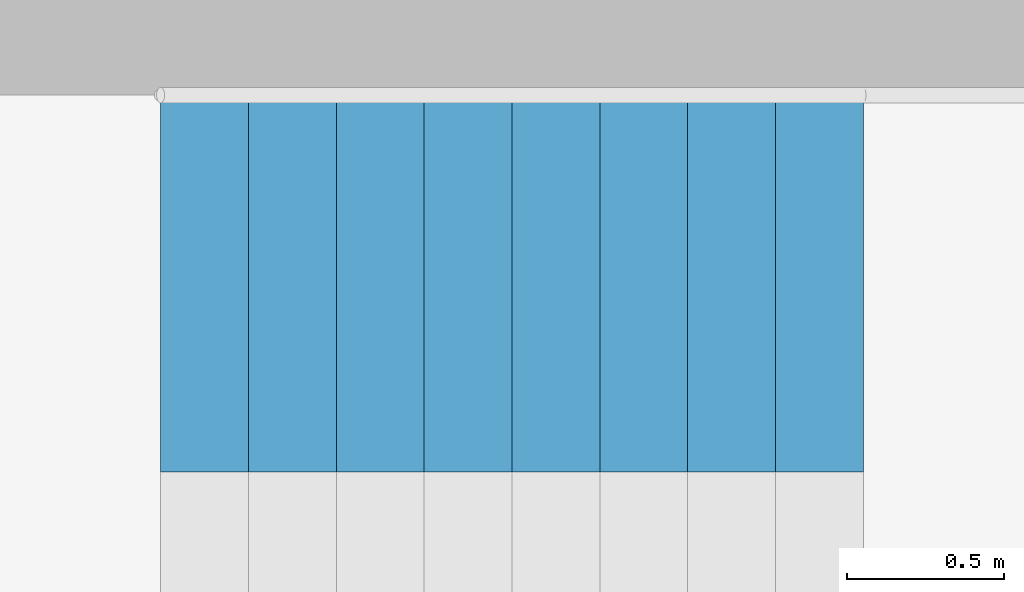
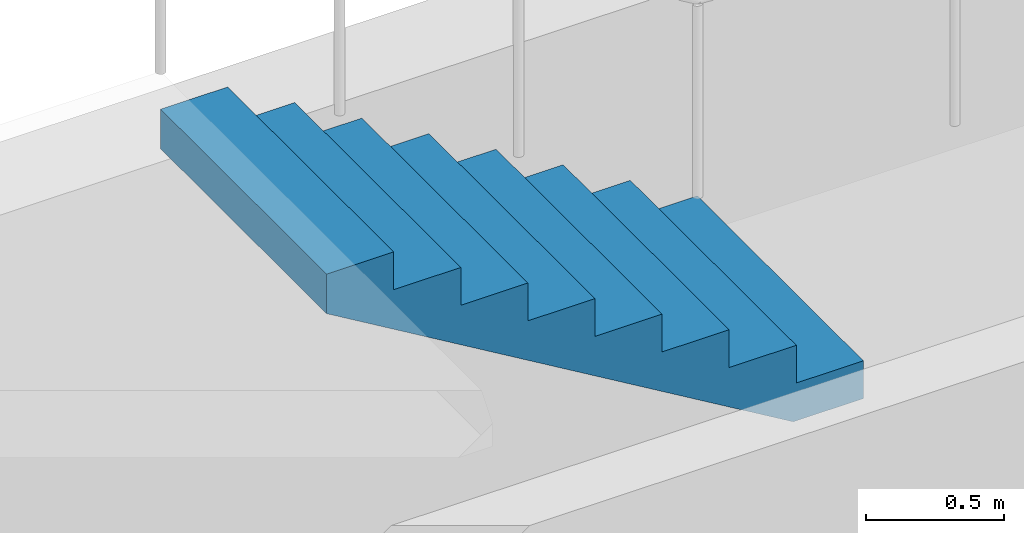
# One storey, part 9 of 11: 1 stair flight, 1 element without a shape of its own.
"""IFC4 building model written with IfcOpenShell, lengths in metres."""

import ifcopenshell
import ifcopenshell.guid

model = None  # the IFC model being written
_history = None  # IfcOwnerHistory: only IFC2X3 demands one
_inside = {}  # id of a spatial element -> (the spatial element, [elements in it])
_under = {}  # id of a project, library or spatial element -> (it, [spatial elements below it])
_declared = {}  # id of a project -> (the project, [libraries it declares])
_typed = {}  # id of a type object -> (the type object, [elements of that type])
_made_of = {}  # id of a material, layer set ... -> (it, [elements and type objects made of it])


def new_model(schema):
    """Start an empty IFC model of exactly this schema.

    Asked for "IFC4X3", IfcOpenShell would pick the latest addendum, in which some entities
    have other attributes; the version numbers below select the first issue.
    IFC2X3 requires an IfcOwnerHistory on every rooted entity: one is made here for all.
    """
    global model, _history
    if schema == "IFC4X3":
        model = ifcopenshell.file(schema_version=(4, 3, 0, 0))
    else:
        model = ifcopenshell.file(schema=schema)
    _inside.clear()
    _under.clear()
    _declared.clear()
    _typed.clear()
    _made_of.clear()
    _history = None
    if model.schema == "IFC2X3":
        org = make("IfcOrganization", Name="unknown")
        user = make(
            "IfcPersonAndOrganization",
            ThePerson=make("IfcPerson", FamilyName="unknown"),
            TheOrganization=org,
        )
        app = make(
            "IfcApplication",
            ApplicationDeveloper=org,
            Version="unknown",
            ApplicationFullName="unknown",
            ApplicationIdentifier="unknown",
        )
        _history = make(
            "IfcOwnerHistory",
            OwningUser=user,
            OwningApplication=app,
            ChangeAction="ADDED",
            CreationDate=0,
        )
    return model


def make(cls, **values):
    """One entity of the class cls with the attributes given. An attribute that is None is left unset."""
    return model.create_entity(
        cls, **{name: value for name, value in values.items() if value is not None}
    )


def rooted(cls, **values):
    """An entity with a GlobalId (a new one), such as an element, a storey or a relation."""
    return make(cls, GlobalId=ifcopenshell.guid.new(), OwnerHistory=_history, **values)


def si_unit(unit_type, name, prefix=None):
    """IfcSIUnit, for example si_unit("LENGTHUNIT", "METRE", prefix="MILLI")."""
    return make("IfcSIUnit", UnitType=unit_type, Prefix=prefix, Name=name)


def assignment(units):
    """IfcUnitAssignment: the units of a project."""
    return None if units is None else make("IfcUnitAssignment", Units=units)


def point(xyz):
    """IfcCartesianPoint."""
    return None if xyz is None else make("IfcCartesianPoint", Coordinates=xyz)


def direction(xyz):
    """IfcDirection."""
    return None if xyz is None else make("IfcDirection", DirectionRatios=xyz)


def frame(location, z_axis=None, x_axis=None):
    """IfcAxis2Placement3D, a coordinate frame: its origin and axes. An axis left out is left unset."""
    return make(
        "IfcAxis2Placement3D",
        Location=point(location),
        Axis=direction(z_axis),
        RefDirection=direction(x_axis),
    )


def origin():
    """The frame at (0, 0, 0) with its axes left unset."""
    return frame((0.0, 0.0, 0.0))


def place(relative_to, where):
    """IfcLocalPlacement: puts the frame where relative to a parent placement (None: the world)."""
    return make(
        "IfcLocalPlacement", PlacementRelTo=relative_to, RelativePlacement=where
    )


def context(
    kind, dimensions, precision=None, world=None, true_north=None, identifier=None
):
    """IfcGeometricRepresentationContext, for example the 3D "Model" context."""
    return make(
        "IfcGeometricRepresentationContext",
        ContextIdentifier=identifier,
        ContextType=kind,
        CoordinateSpaceDimension=dimensions,
        Precision=precision,
        WorldCoordinateSystem=world,
        TrueNorth=true_north,
    )


def subcontext(parent, identifier, kind, view, scale=None):
    """IfcGeometricRepresentationSubContext, for example "Body" below "Model"."""
    return make(
        "IfcGeometricRepresentationSubContext",
        ContextIdentifier=identifier,
        ContextType=kind,
        ParentContext=parent,
        TargetScale=scale,
        TargetView=view,
    )


def project(units=None, contexts=None):
    """IfcProject with its units and contexts."""
    return rooted(
        "IfcProject",
        Name="project",
        RepresentationContexts=contexts,
        UnitsInContext=assignment(units),
    )


def spatial(cls, under=None, at=None, **own):
    """A site, building, storey or space (cls), placed at a placement, below another one or the project."""
    s = rooted(cls, ObjectPlacement=at, **own)
    if under is not None:
        _under.setdefault(under.id(), (under, []))[1].append(s)
    return s


def polyline(points):
    """IfcPolyline through the points."""
    return make("IfcPolyline", Points=[point(p) for p in points])


def outline(outer, holes=None, kind="AREA"):
    """IfcArbitraryClosedProfileDef: a profile drawn as a closed curve; with holes, ...WithVoids."""
    if holes is None:
        return make("IfcArbitraryClosedProfileDef", ProfileType=kind, OuterCurve=outer)
    return make(
        "IfcArbitraryProfileDefWithVoids",
        ProfileType=kind,
        OuterCurve=outer,
        InnerCurves=holes,
    )


def extrude(swept, where, along, depth):
    """IfcExtrudedAreaSolid: the profile swept, set in the frame where, extruded along a direction by depth."""
    return make(
        "IfcExtrudedAreaSolid",
        SweptArea=swept,
        Position=where,
        ExtrudedDirection=direction(along),
        Depth=depth,
    )


def shape(context_of_items, identifier, shape_type, items):
    """IfcShapeRepresentation: the items that make up one representation, for example the "Body"."""
    return make(
        "IfcShapeRepresentation",
        ContextOfItems=context_of_items,
        RepresentationIdentifier=identifier,
        RepresentationType=shape_type,
        Items=items,
    )


def material(Name=None, Category=None):
    """IfcMaterial."""
    return make("IfcMaterial", Name=Name, Category=Category)


def made_of(thing, what):
    """Note that an element or type object is made of a material, layer set ...; save() writes the relation."""
    if what is not None:
        _made_of.setdefault(what.id(), (what, []))[1].append(thing)
    return thing


def type_object(cls, material=None, **own):
    """A type object (cls), such as IfcWallType, which elements share."""
    return made_of(rooted(cls, **own), material)


def element(
    cls,
    number,
    at=None,
    inside=None,
    cuts=None,
    type_object=None,
    material=None,
    context=None,
    identifier="Body",
    shape_type=None,
    held_by="IfcProductDefinitionShape",
    body=None,
    shapes=None,
    **own,
):
    """One element of the class cls, such as IfcWall. Its Tag is "e" and its number.

    at: its placement. inside: the storey or other place that contains it. cuts: it is an
    opening in that element (IfcRelVoidsElement). A single representation is given by context,
    identifier, shape_type and body (its items); several are given by shapes. held_by: the class
    of the entity that holds the representations. save() writes the other relations.
    """
    e = rooted(cls, Tag="e%d" % number, ObjectPlacement=at, **own)
    if body is not None:
        shapes = [shape(context, identifier, shape_type, body)]
    if shapes is not None:
        e.Representation = make(held_by, Representations=shapes)
    if inside is not None:
        _inside.setdefault(inside.id(), (inside, []))[1].append(e)
    if cuts is not None:
        rooted(
            "IfcRelVoidsElement", RelatingBuildingElement=cuts, RelatedOpeningElement=e
        )
    if type_object is not None:
        _typed.setdefault(type_object.id(), (type_object, []))[1].append(e)
    return made_of(e, material)


def aggregate(whole, parts):
    """IfcRelAggregates: a whole, such as a stair, and the parts it consists of."""
    return rooted("IfcRelAggregates", RelatingObject=whole, RelatedObjects=parts)


def save(model, path):
    """Write the relations noted so far, then the file.

    IfcRelAggregates (storeys below a building ...), IfcRelContainedInSpatialStructure (elements
    in a storey), IfcRelDefinesByType, IfcRelAssociatesMaterial and IfcRelDeclares: one each for
    every whole, place, type object, material and project.
    """
    for whole, parts in _under.values():
        aggregate(whole, parts)
    for where, things in _inside.values():
        rooted(
            "IfcRelContainedInSpatialStructure",
            RelatedElements=things,
            RelatingStructure=where,
        )
    for kind, things in _typed.values():
        rooted("IfcRelDefinesByType", RelatedObjects=things, RelatingType=kind)
    for what, things in _made_of.values():
        rooted("IfcRelAssociatesMaterial", RelatedObjects=things, RelatingMaterial=what)
    for by, libraries in _declared.values():
        rooted("IfcRelDeclares", RelatingContext=by, RelatedDefinitions=libraries)
    model.write(path)


model = new_model("IFC4")

# Units and contexts
model_context = context("Model", 3, precision=1e-05, world=origin(), true_north=direction((0.0, 1.0)))
body_context = subcontext(model_context, "Body", "Model", "MODEL_VIEW")
ifc_project = project(units=[si_unit("LENGTHUNIT", "METRE"), si_unit("AREAUNIT", "SQUARE_METRE"), si_unit("VOLUMEUNIT", "CUBIC_METRE"), si_unit("PLANEANGLEUNIT", "RADIAN"), si_unit("MASSUNIT", "GRAM", prefix="KILO")], contexts=[model_context])

# Site, building, storey
site_placement = place(None, origin())
site = spatial("IfcSite", under=ifc_project, at=site_placement, CompositionType="ELEMENT")
building_placement = place(site_placement, origin())
building = spatial("IfcBuilding", under=site, at=building_placement, Name="Fustian Cross Tower", CompositionType="ELEMENT")
storey_placement = place(building_placement, frame((0.0, 0.0, 176.699951171875)))
storey = spatial("IfcBuildingStorey", under=building, at=storey_placement, Name="L55", CompositionType="ELEMENT", Elevation=176.699951171875)

# Stair, stair flight
ifc_material_1 = material(Name="Concrete C50/60", Category="concrete")
stair_type = type_object("IfcStairType", Name="STAIR 1200 HALF TURN", PredefinedType="HALF_TURN_STAIR", material=ifc_material_1)
stair_placement = place(storey_placement, origin())
stair = element("IfcStair", 1, at=stair_placement, inside=storey, type_object=stair_type, Name="Stair ST1", PredefinedType="HALF_TURN_STAIR")
ifc_material_2 = material(Name="Concrete C50/60", Category="concrete")
stair_flight_type = type_object("IfcStairFlightType", Name="STAIR FLIGHT 1200", PredefinedType="STRAIGHT", material=ifc_material_2)
stair_flight_placement = place(storey_placement, frame((17.590087890625, 6.199951171875, 1.5), z_axis=(0.0, 0.0, 1.0), x_axis=(-1.0, 0.0, 0.0)))
stair_flight = element("IfcStairFlight", 2, at=stair_flight_placement, type_object=stair_flight_type, Name="ST1 flight 2", NumberOfRisers=9, NumberOfTreads=8, PredefinedType="STRAIGHT", RiserHeight=0.166666667, TreadLength=0.28, context=body_context, shape_type="SweptSolid", body=[
    extrude(outline(polyline([(0.0, 0.0), (0.0, 0.166748046875), (0.280029296875, 0.166748046875), (0.280029296875, 0.333251953125), (0.56005859375, 0.333251953125), (0.56005859375, 0.5), (0.840087890625, 0.5), (0.840087890625, 0.666748046875), (1.1201171875, 0.666748046875), (1.1201171875, 0.833251953125), (1.39990234375, 0.833251953125), (1.39990234375, 1.0), (1.679931640625, 1.0), (1.679931640625, 1.166748046875), (1.9599609375, 1.166748046875), (1.9599609375, 1.333251953125), (2.239990234375, 1.333251953125), (2.239990234375, 1.5), (2.239990234375, 1.158935546875), (0.29296875, 0.0), (0.0, 0.0)])), frame((0.0, 0.60009765625, 0.0), z_axis=(0.0, -1.0, 0.0), x_axis=(1.0, 0.0, 0.0)), (0.0, 0.0, 1.0), 1.199951171875),
])
aggregate(stair, [stair_flight])

save(model, "model.ifc")
